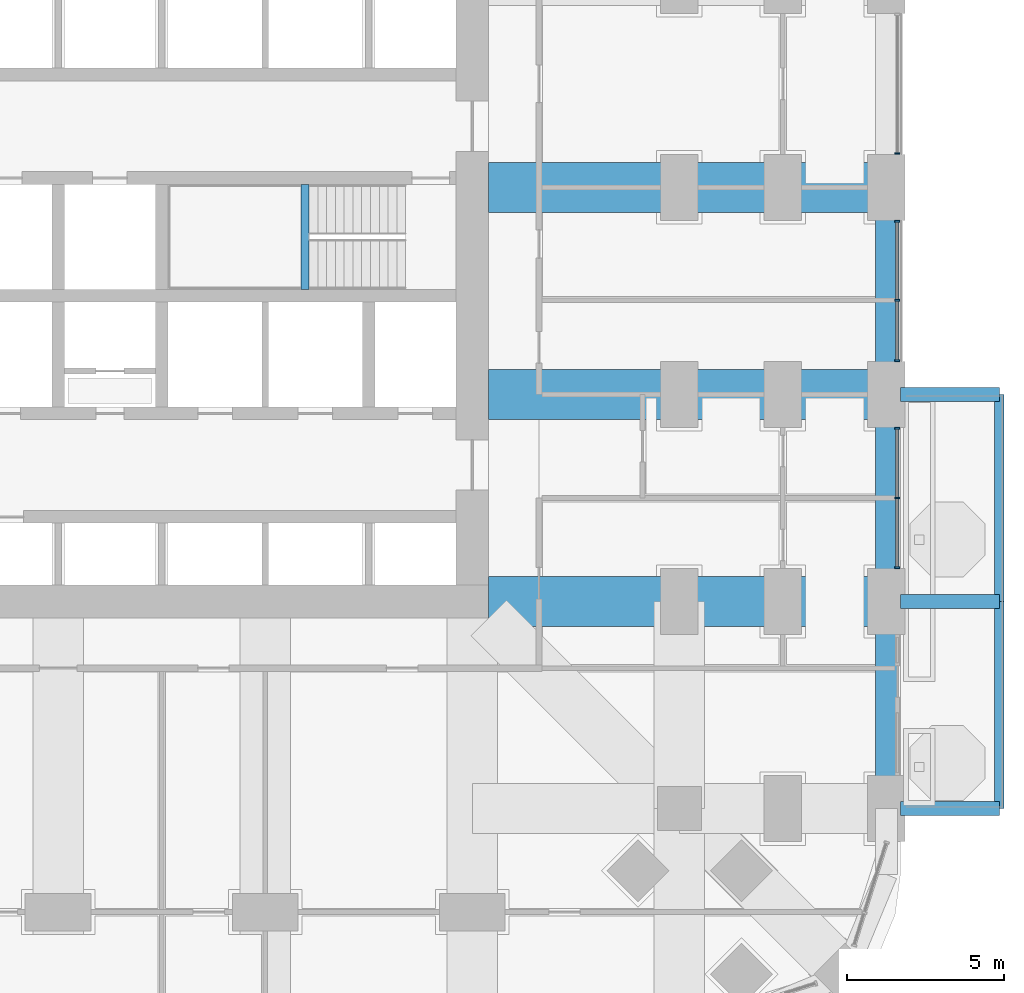
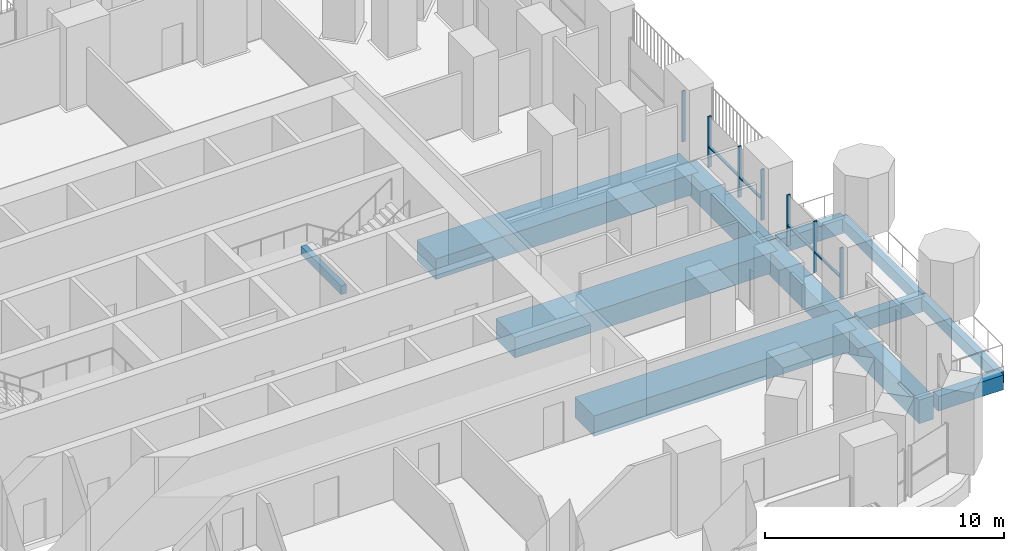
# One storey, part 6 of 27: 12 beams, 11 members, 3 elements without a shape of their own.
"""IFC4 building model written with IfcOpenShell, lengths in metres."""

from ifc_helpers import new_model, si_unit, direction, frame, origin, origin_2d, place, context, subcontext, project, spatial, rectangle, extrude, material, material_profile, profile_set, type_object, element, aggregate, save


model = new_model("IFC4")

# Units and contexts
model_context = context("Model", 3, precision=1e-05, world=origin(), true_north=direction((0.0, 1.0)))
body_context = subcontext(model_context, "Body", "Model", "MODEL_VIEW")
ifc_project = project(units=[si_unit("LENGTHUNIT", "METRE"), si_unit("AREAUNIT", "SQUARE_METRE"), si_unit("VOLUMEUNIT", "CUBIC_METRE"), si_unit("PLANEANGLEUNIT", "RADIAN"), si_unit("MASSUNIT", "GRAM", prefix="KILO")], contexts=[model_context])

# Site, building, storey
site_placement = place(None, origin())
site = spatial("IfcSite", under=ifc_project, at=site_placement, CompositionType="ELEMENT")
building_placement = place(site_placement, origin())
building = spatial("IfcBuilding", under=site, at=building_placement, Name="Cobogo Forest Laboratory Tower", CompositionType="ELEMENT")
storey_placement = place(building_placement, frame((0.0, 0.0, 63.300048828125)))
storey = spatial("IfcBuildingStorey", under=building, at=storey_placement, Name="L14", CompositionType="ELEMENT", Elevation=63.300048828125)

# Beams
ifc_material_1 = material(Name="Concrete HA-40 (C40/50)", Category="concrete")
ifc_material_profile_1 = material_profile(ifc_material_1, rectangle(XDim=0.449951171875, YDim=0.75, at=origin_2d()), Name="RC 450x750")
ifc_profile_set_1 = profile_set([ifc_material_profile_1], Name="Concrete HA-40 (C40/50)")
beam_type_1 = type_object("IfcBeamType", Name="Balcony cantilever beam 450x750", PredefinedType="BEAM", material=ifc_profile_set_1)
for number, where, z_axis, x_axis, name in (
    (1, (53.25, 6.60009765625, -0.625), (1.0, 0.0, 0.0), (0.0, 1.0, 0.0), "CB1 BAL-E1-C1 L14"),
    (2, (53.25, 13.199951171875, -0.625), (1.0, 0.0, 0.0), (0.0, 1.0, 0.0), "CB1 BAL-E1-C2 L14"),
    (3, (53.25, 19.800048828125, -0.625), (1.0, 0.0, 0.0), (0.0, 1.0, 0.0), "CB1 BAL-E1-C3 L14"),
):
    element("IfcBeam", number, at=place(storey_placement, frame(where, z_axis=z_axis, x_axis=x_axis)), inside=storey, type_object=beam_type_1, Name=name, PredefinedType="BEAM", context=body_context, shape_type="SweptSolid", body=[
        extrude(rectangle(XDim=0.449951171875, YDim=0.75, at=origin_2d()), origin(), (0.0, 0.0, 1.0), 3.14990234375),
    ])
ifc_material_profile_2 = material_profile(ifc_material_1, rectangle(XDim=0.300048828125, YDim=0.60009765625, at=origin_2d()), Name="RC 300x600")
ifc_profile_set_2 = profile_set([ifc_material_profile_2], Name="Concrete HA-40 (C40/50)")
beam_type_2 = type_object("IfcBeamType", Name="Balcony edge beam 300x600", PredefinedType="BEAM", material=ifc_profile_set_2)
beam_1_placement = place(storey_placement, frame((56.39990234375, 6.60009765625, -0.550048828125), z_axis=(0.0, 1.0, 0.0), x_axis=(-1.0, 0.0, 0.0)))
element("IfcBeam", 4, at=beam_1_placement, inside=storey, type_object=beam_type_2, Name="BB1 BAL-E1-T1 L14", PredefinedType="BEAM", context=body_context, shape_type="SweptSolid", body=[
    extrude(rectangle(XDim=0.300048828125, YDim=0.60009765625, at=origin_2d()), origin(), (0.0, 0.0, 1.0), 6.599853515625),
])
beam_2_placement = place(storey_placement, frame((56.39990234375, 13.199951171875, -0.550048828125), z_axis=(0.0, 1.0, 0.0), x_axis=(-1.0, 0.0, 0.0)))
element("IfcBeam", 5, at=beam_2_placement, inside=storey, type_object=beam_type_2, Name="BB1 BAL-E1-T2 L14", PredefinedType="BEAM", context=body_context, shape_type="SweptSolid", body=[
    extrude(rectangle(XDim=0.300048828125, YDim=0.60009765625, at=origin_2d()), origin(), (0.0, 0.0, 1.0), 6.60009765625),
])
ifc_material_profile_3 = material_profile(ifc_material_1, rectangle(XDim=0.25, YDim=0.449951171875, at=origin_2d()), Name="RC 250x450")
ifc_profile_set_3 = profile_set([ifc_material_profile_3], Name="Concrete HA-40 (C40/50)")
beam_type_3 = type_object("IfcBeamType", Name="LB1 landing beam 250x450", PredefinedType="BEAM", material=ifc_profile_set_3)
beam_3_placement = place(storey_placement, frame((34.27001953125, 23.14990234375, 1.675048828125), z_axis=(0.0, 1.0, 0.0), x_axis=(-1.0, 0.0, 0.0)))
element("IfcBeam", 6, at=beam_3_placement, inside=storey, type_object=beam_type_3, Name="Landing beam ST2 L14", PredefinedType="BEAM", context=body_context, shape_type="SweptSolid", body=[
    extrude(rectangle(XDim=0.25, YDim=0.449951171875, at=origin_2d()), origin(), (0.0, 0.0, 1.0), 3.35009765625),
])
ifc_material_2 = material(Name="Concrete HA-50 (C50/60)", Category="concrete")
ifc_material_profile_4 = material_profile(ifc_material_2, rectangle(XDim=1.60009765625, YDim=1.050048828125, at=origin_2d()), Name="RC 1600x1050")
ifc_profile_set_4 = profile_set([ifc_material_profile_4], Name="Concrete HA-50 (C50/60)")
beam_type_4 = type_object("IfcBeamType", Name="Laboratory floor wide beam 1600x1050", PredefinedType="BEAM", material=ifc_profile_set_4)
for number, where, z_axis, x_axis, name in (
    (7, (40.125, 13.199951171875, -0.824951171875), (1.0, 0.0, 0.0), (0.0, 1.0, 0.0), "RB8 R-C-E L14"),
    (8, (40.125, 19.800048828125, -0.824951171875), (1.0, 0.0, 0.0), (0.0, 1.0, 0.0), "RB8 R-D-E L14"),
    (9, (40.125, 26.39990234375, -0.824951171875), (1.0, 0.0, 0.0), (0.0, 1.0, 0.0), "RB8 R-E-E L14"),
):
    element("IfcBeam", number, at=place(storey_placement, frame(where, z_axis=z_axis, x_axis=x_axis)), inside=storey, type_object=beam_type_4, Name=name, PredefinedType="BEAM", context=body_context, shape_type="SweptSolid", body=[
        extrude(rectangle(XDim=1.60009765625, YDim=1.050048828125, at=origin_2d()), origin(), (0.0, 0.0, 1.0), 12.675048828125),
    ])

# Curtain wall, members
ifc_material_3 = material(Name="Aluminium curtain wall", Category="aluminium")
curtain_wall_type = type_object("IfcCurtainWallType", Name="CW-1 unitised curtain wall, clear glazing, laboratory floors zones A and B", PredefinedType="USERDEFINED", material=ifc_material_3)
curtain_wall_1_placement = place(storey_placement, origin())
curtain_wall_1 = element("IfcCurtainWall", 10, at=curtain_wall_1_placement, inside=storey, type_object=curtain_wall_type, Name="Curtain wall 11 L14", ObjectType="UNITISED CURTAIN WALL", PredefinedType="USERDEFINED")
ifc_material_4 = material(Name="Aluminium mullion", Category="aluminium")
ifc_material_profile_5 = material_profile(ifc_material_4, rectangle(XDim=0.06005859375, YDim=0.159912109375, at=origin_2d()), Name="AL 60x160")
ifc_profile_set_5 = profile_set([ifc_material_profile_5], Name="Aluminium mullion")
member_type_1 = type_object("IfcMemberType", Name="MU-1 aluminium mullion 60x160", PredefinedType="MULLION", material=ifc_profile_set_5)
member_1_placement = place(storey_placement, frame((53.14990234375, 14.280029296875, 0.0), z_axis=(0.0, 0.0, 1.0), x_axis=(0.0, 1.0, 0.0)))
member_1 = element("IfcMember", 11, at=member_1_placement, type_object=member_type_1, Name="CW-1 mullion 1", PredefinedType="MULLION", context=body_context, shape_type="SweptSolid", body=[
    extrude(rectangle(XDim=0.06005859375, YDim=0.159912109375, at=origin_2d()), origin(), (0.0, 0.0, 1.0), 2.599853515625),
])
member_2_placement = place(storey_placement, frame((53.14990234375, 16.5, 0.0), z_axis=(0.0, 0.0, 1.0), x_axis=(0.0, 1.0, 0.0)))
member_2 = element("IfcMember", 12, at=member_2_placement, type_object=member_type_1, Name="CW-1 mullion 2", PredefinedType="MULLION", context=body_context, shape_type="SweptSolid", body=[
    extrude(rectangle(XDim=0.06005859375, YDim=0.159912109375, at=origin_2d()), origin(), (0.0, 0.0, 1.0), 2.599853515625),
])
member_3_placement = place(storey_placement, frame((53.14990234375, 18.719970703125, 0.0), z_axis=(0.0, 0.0, 1.0), x_axis=(0.0, 1.0, 0.0)))
member_3 = element("IfcMember", 13, at=member_3_placement, type_object=member_type_1, Name="CW-1 mullion 3", PredefinedType="MULLION", context=body_context, shape_type="SweptSolid", body=[
    extrude(rectangle(XDim=0.06005859375, YDim=0.159912109375, at=origin_2d()), origin(), (0.0, 0.0, 1.0), 2.599853515625),
])

curtain_wall_2_placement = place(storey_placement, origin())
curtain_wall_2 = element("IfcCurtainWall", 14, at=curtain_wall_2_placement, inside=storey, type_object=curtain_wall_type, Name="Curtain wall 12 L14", ObjectType="UNITISED CURTAIN WALL", PredefinedType="USERDEFINED")
member_4_placement = place(storey_placement, frame((53.14990234375, 20.8798828125, 0.0), z_axis=(0.0, 0.0, 1.0), x_axis=(0.0, 1.0, 0.0)))
member_4 = element("IfcMember", 15, at=member_4_placement, type_object=member_type_1, Name="CW-1 mullion 1", PredefinedType="MULLION", context=body_context, shape_type="SweptSolid", body=[
    extrude(rectangle(XDim=0.06005859375, YDim=0.159912109375, at=origin_2d()), origin(), (0.0, 0.0, 1.0), 2.599853515625),
])
member_5_placement = place(storey_placement, frame((53.14990234375, 22.800048828125, 0.0), z_axis=(0.0, 0.0, 1.0), x_axis=(0.0, 1.0, 0.0)))
member_5 = element("IfcMember", 16, at=member_5_placement, type_object=member_type_1, Name="CW-1 mullion 2", PredefinedType="MULLION", context=body_context, shape_type="SweptSolid", body=[
    extrude(rectangle(XDim=0.06005859375, YDim=0.159912109375, at=origin_2d()), origin(), (0.0, 0.0, 1.0), 2.599853515625),
])
member_6_placement = place(storey_placement, frame((53.14990234375, 25.320068359375, 0.0), z_axis=(0.0, 0.0, 1.0), x_axis=(0.0, 1.0, 0.0)))
member_6 = element("IfcMember", 17, at=member_6_placement, type_object=member_type_1, Name="CW-1 mullion 3", PredefinedType="MULLION", context=body_context, shape_type="SweptSolid", body=[
    extrude(rectangle(XDim=0.06005859375, YDim=0.159912109375, at=origin_2d()), origin(), (0.0, 0.0, 1.0), 2.599853515625),
])

# Curtain wall, member
curtain_wall_3_placement = place(storey_placement, origin())
curtain_wall_3 = element("IfcCurtainWall", 18, at=curtain_wall_3_placement, inside=storey, type_object=curtain_wall_type, Name="Curtain wall 13 L14", ObjectType="UNITISED CURTAIN WALL", PredefinedType="USERDEFINED")
member_7_placement = place(storey_placement, frame((53.14990234375, 27.47998046875, 0.0), z_axis=(0.0, 0.0, 1.0), x_axis=(0.0, 1.0, 0.0)))
member_7 = element("IfcMember", 19, at=member_7_placement, type_object=member_type_1, Name="CW-1 mullion 1", PredefinedType="MULLION", context=body_context, shape_type="SweptSolid", body=[
    extrude(rectangle(XDim=0.06005859375, YDim=0.159912109375, at=origin_2d()), origin(), (0.0, 0.0, 1.0), 2.599853515625),
])
aggregate(curtain_wall_3, [member_7])

# Beams
ifc_material_profile_6 = material_profile(ifc_material_1, rectangle(XDim=0.699951171875, YDim=1.199951171875, at=origin_2d()), Name="RC 700x1200")
ifc_profile_set_6 = profile_set([ifc_material_profile_6], Name="Concrete HA-40 (C40/50)")
beam_type_5 = type_object("IfcBeamType", Name="Perimeter edge beam 700x1200", PredefinedType="BEAM", material=ifc_profile_set_6)
beam_4_placement = place(storey_placement, frame((52.800048828125, 6.60009765625, -0.900146484375), z_axis=(0.0, 1.0, 0.0), x_axis=(-1.0, 0.0, 0.0)))
element("IfcBeam", 20, at=beam_4_placement, inside=storey, type_object=beam_type_5, Name="EB1 E-E1 L14", PredefinedType="BEAM", context=body_context, shape_type="SweptSolid", body=[
    extrude(rectangle(XDim=0.699951171875, YDim=1.199951171875, at=origin_2d()), origin(), (0.0, 0.0, 1.0), 6.599853515625),
])
beam_5_placement = place(storey_placement, frame((52.800048828125, 13.199951171875, -0.900146484375), z_axis=(0.0, 1.0, 0.0), x_axis=(-1.0, 0.0, 0.0)))
element("IfcBeam", 21, at=beam_5_placement, inside=storey, type_object=beam_type_5, Name="EB1 E-E2 L14", PredefinedType="BEAM", context=body_context, shape_type="SweptSolid", body=[
    extrude(rectangle(XDim=0.699951171875, YDim=1.199951171875, at=origin_2d()), origin(), (0.0, 0.0, 1.0), 6.60009765625),
])
beam_6_placement = place(storey_placement, frame((52.800048828125, 19.800048828125, -0.900146484375), z_axis=(0.0, 1.0, 0.0), x_axis=(-1.0, 0.0, 0.0)))
element("IfcBeam", 22, at=beam_6_placement, inside=storey, type_object=beam_type_5, Name="EB1 E-E3 L14", PredefinedType="BEAM", context=body_context, shape_type="SweptSolid", body=[
    extrude(rectangle(XDim=0.699951171875, YDim=1.199951171875, at=origin_2d()), origin(), (0.0, 0.0, 1.0), 6.599853515625),
])

# Member
ifc_material_5 = material(Name="Aluminium transom", Category="aluminium")
ifc_material_profile_7 = material_profile(ifc_material_5, rectangle(XDim=0.1201171875, YDim=0.06005859375, at=origin_2d()), Name="AL 60x120")
ifc_profile_set_7 = profile_set([ifc_material_profile_7], Name="Aluminium transom")
member_type_2 = type_object("IfcMemberType", Name="TR-1 aluminium transom 60x120", PredefinedType="USERDEFINED", material=ifc_profile_set_7)
member_8_placement = place(storey_placement, frame((53.14990234375, 14.31005859375, 1.050048828125), z_axis=(0.0, 1.0, 0.0), x_axis=(-1.0, 0.0, 0.0)))
member_8 = element("IfcMember", 23, at=member_8_placement, type_object=member_type_2, Name="CW-1 transom 1.1", ObjectType="TRANSOM", PredefinedType="USERDEFINED", context=body_context, shape_type="SweptSolid", body=[
    extrude(rectangle(XDim=0.1201171875, YDim=0.06005859375, at=origin_2d()), origin(), (0.0, 0.0, 1.0), 2.159912109375),
])

member_9_placement = place(storey_placement, frame((53.14990234375, 16.530029296875, 1.050048828125), z_axis=(0.0, 1.0, 0.0), x_axis=(-1.0, 0.0, 0.0)))
member_9 = element("IfcMember", 24, at=member_9_placement, type_object=member_type_2, Name="CW-1 transom 2.1", ObjectType="TRANSOM", PredefinedType="USERDEFINED", context=body_context, shape_type="SweptSolid", body=[
    extrude(rectangle(XDim=0.1201171875, YDim=0.06005859375, at=origin_2d()), origin(), (0.0, 0.0, 1.0), 2.159912109375),
])

aggregate(curtain_wall_1, [member_1, member_2, member_3, member_8, member_9])

member_10_placement = place(storey_placement, frame((53.14990234375, 20.909912109375, 1.050048828125), z_axis=(0.0, 1.0, 0.0), x_axis=(-1.0, 0.0, 0.0)))
member_10 = element("IfcMember", 25, at=member_10_placement, type_object=member_type_2, Name="CW-1 transom 1.1", ObjectType="TRANSOM", PredefinedType="USERDEFINED", context=body_context, shape_type="SweptSolid", body=[
    extrude(rectangle(XDim=0.1201171875, YDim=0.06005859375, at=origin_2d()), origin(), (0.0, 0.0, 1.0), 1.860107421875),
])

member_11_placement = place(storey_placement, frame((53.14990234375, 22.830078125, 1.050048828125), z_axis=(0.0, 1.0, 0.0), x_axis=(-1.0, 0.0, 0.0)))
member_11 = element("IfcMember", 26, at=member_11_placement, type_object=member_type_2, Name="CW-1 transom 2.1", ObjectType="TRANSOM", PredefinedType="USERDEFINED", context=body_context, shape_type="SweptSolid", body=[
    extrude(rectangle(XDim=0.1201171875, YDim=0.06005859375, at=origin_2d()), origin(), (0.0, 0.0, 1.0), 2.4599609375),
])

aggregate(curtain_wall_2, [member_4, member_5, member_6, member_10, member_11])

save(model, "model.ifc")
